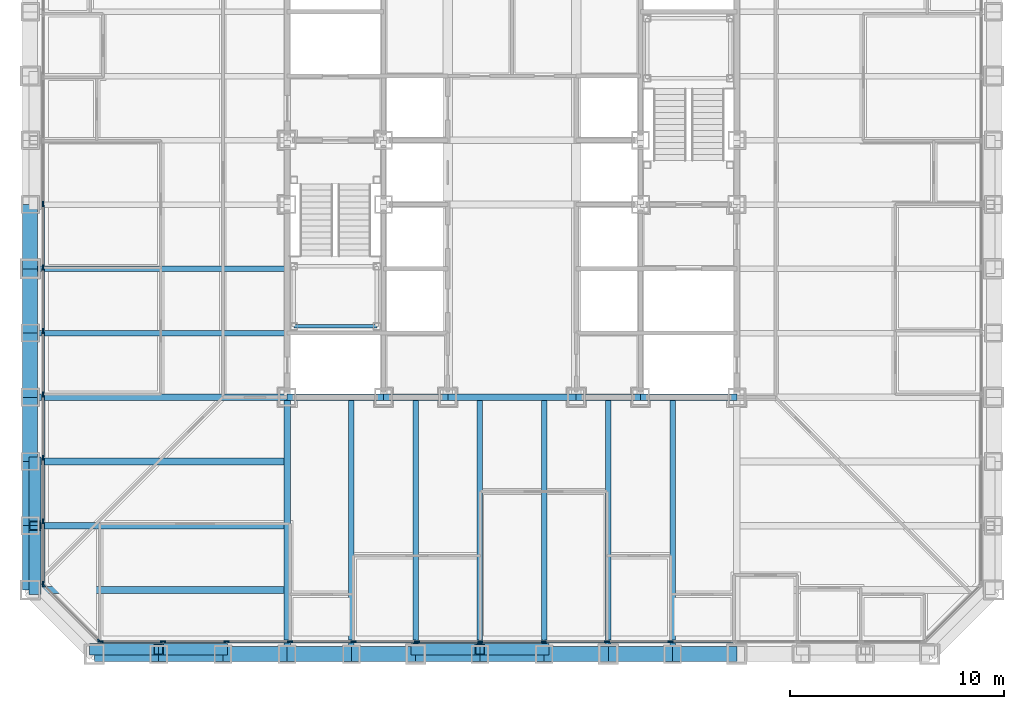
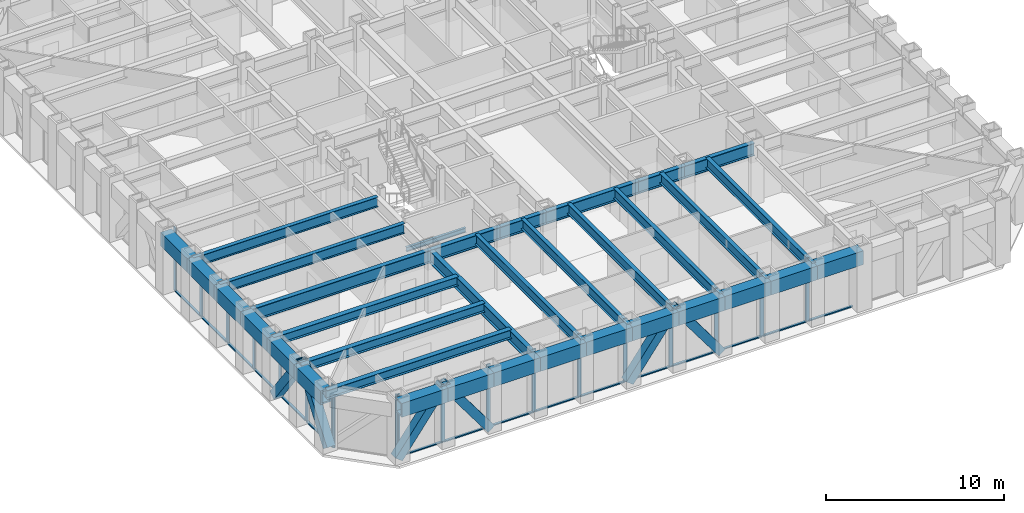
# One storey, part 2 of 17: 41 members, 35 beams, 3 elements without a shape of their own.
"""IFC4 building model written with IfcOpenShell, lengths in metres."""

from ifc_helpers import new_model, si_unit, direction, frame, origin, origin_2d, place, context, subcontext, project, spatial, rectangle, hollow_rectangle, i_section, extrude, material, layer, layer_set, material_profile, profile_set, type_object, element, aggregate, save


model = new_model("IFC4")

# Units and contexts
model_context = context("Model", 3, precision=1e-05, world=origin(), true_north=direction((0.0, 1.0)))
body_context = subcontext(model_context, "Body", "Model", "MODEL_VIEW")
ifc_project = project(units=[si_unit("LENGTHUNIT", "METRE"), si_unit("AREAUNIT", "SQUARE_METRE"), si_unit("VOLUMEUNIT", "CUBIC_METRE"), si_unit("PLANEANGLEUNIT", "RADIAN"), si_unit("MASSUNIT", "GRAM", prefix="KILO")], contexts=[model_context])

# Site, building, storey
site_placement = place(None, origin())
site = spatial("IfcSite", under=ifc_project, at=site_placement, CompositionType="ELEMENT")
building_placement = place(site_placement, origin())
building = spatial("IfcBuilding", under=site, at=building_placement, Name="Chuquiago Exchange Tower", CompositionType="ELEMENT")
storey_placement = place(building_placement, frame((0.0, 0.0, 87.300048828125)))
storey = spatial("IfcBuildingStorey", under=building, at=storey_placement, Name="L18", CompositionType="ELEMENT", Elevation=87.300048828125)

# Beams
ifc_material_1 = material(Name="Steel ASTM A992", Category="steel")
ifc_material_profile_1 = material_profile(ifc_material_1, i_section(OverallWidth=0.2919921875, OverallDepth=0.8583984375, WebThickness=0.01708984375, FlangeThickness=0.031005859375, at=origin_2d()), Name="W33X169")
ifc_profile_set_1 = profile_set([ifc_material_profile_1], Name="Steel ASTM A992")
beam_type_1 = type_object("IfcBeamType", Name="B3 W33X169", PredefinedType="BEAM", material=ifc_profile_set_1)
beam_1_placement = place(storey_placement, frame((12.0, 12.0, 3.610595703125), z_axis=(1.0, 0.0, 0.0), x_axis=(0.0, 1.0, 0.0)))
element("IfcBeam", 1, at=beam_1_placement, inside=storey, type_object=beam_type_1, Name="CB-L19-12_12-16.5_12", PredefinedType="BEAM", context=body_context, shape_type="SweptSolid", body=[
    extrude(i_section(OverallWidth=0.2919921875, OverallDepth=0.8583984375, WebThickness=0.01708984375, FlangeThickness=0.031005859375, at=origin_2d()), origin(), (0.0, 0.0, 1.0), 4.5),
])
beam_2_placement = place(storey_placement, frame((16.5, 12.0, 3.610595703125), z_axis=(1.0, 0.0, 0.0), x_axis=(0.0, 1.0, 0.0)))
element("IfcBeam", 2, at=beam_2_placement, inside=storey, type_object=beam_type_1, Name="CB-L19-16.5_12-19.5_12", PredefinedType="BEAM", context=body_context, shape_type="SweptSolid", body=[
    extrude(i_section(OverallWidth=0.2919921875, OverallDepth=0.8583984375, WebThickness=0.01708984375, FlangeThickness=0.031005859375, at=origin_2d()), origin(), (0.0, 0.0, 1.0), 3.0),
])
beam_3_placement = place(storey_placement, frame((19.5, 12.0, 3.610595703125), z_axis=(1.0, 0.0, 0.0), x_axis=(0.0, 1.0, 0.0)))
element("IfcBeam", 3, at=beam_3_placement, inside=storey, type_object=beam_type_1, Name="CB-L19-19.5_12-25.5_12", PredefinedType="BEAM", context=body_context, shape_type="SweptSolid", body=[
    extrude(i_section(OverallWidth=0.2919921875, OverallDepth=0.8583984375, WebThickness=0.01708984375, FlangeThickness=0.031005859375, at=origin_2d()), origin(), (0.0, 0.0, 1.0), 6.0),
])
beam_4_placement = place(storey_placement, frame((25.5, 12.0, 3.610595703125), z_axis=(1.0, 0.0, 0.0), x_axis=(0.0, 1.0, 0.0)))
element("IfcBeam", 4, at=beam_4_placement, inside=storey, type_object=beam_type_1, Name="CB-L19-25.5_12-28.5_12", PredefinedType="BEAM", context=body_context, shape_type="SweptSolid", body=[
    extrude(i_section(OverallWidth=0.2919921875, OverallDepth=0.8583984375, WebThickness=0.01708984375, FlangeThickness=0.031005859375, at=origin_2d()), origin(), (0.0, 0.0, 1.0), 3.0),
])
beam_5_placement = place(storey_placement, frame((28.5, 12.0, 3.610595703125), z_axis=(1.0, 0.0, 0.0), x_axis=(0.0, 1.0, 0.0)))
element("IfcBeam", 5, at=beam_5_placement, inside=storey, type_object=beam_type_1, Name="CB-L19-28.5_12-33_12", PredefinedType="BEAM", context=body_context, shape_type="SweptSolid", body=[
    extrude(i_section(OverallWidth=0.2919921875, OverallDepth=0.8583984375, WebThickness=0.01708984375, FlangeThickness=0.031005859375, at=origin_2d()), origin(), (0.0, 0.0, 1.0), 4.5),
])
ifc_material_2 = material(Name="Steel ASTM A992", Category="steel")
ifc_material_profile_2 = material_profile(ifc_material_2, i_section(OverallWidth=0.256591796875, OverallDepth=0.693359375, WebThickness=0.014404296875, FlangeThickness=0.023681640625, at=origin_2d()), Name="W27X114")
ifc_profile_set_2 = profile_set([ifc_material_profile_2], Name="Steel ASTM A992")
beam_type_2 = type_object("IfcBeamType", Name="B4 W27X114", PredefinedType="BEAM", material=ifc_profile_set_2)
for number, where, z_axis, x_axis, name in (
    (6, (15.0, 12.0, 3.693359375), (0.0, -1.0, 0.0), (1.0, 0.0, 0.0), "FB-L19-infill-15_12-15_-0-0"),
    (7, (18.0, 12.0, 3.693359375), (0.0, -1.0, 0.0), (1.0, 0.0, 0.0), "FB-L19-infill-18_12-18_-0-0"),
    (8, (21.0, 12.0, 3.693359375), (0.0, -1.0, 0.0), (1.0, 0.0, 0.0), "FB-L19-infill-21_12-21_-0-0"),
    (9, (24.0, 12.0, 3.693359375), (0.0, -1.0, 0.0), (1.0, 0.0, 0.0), "FB-L19-infill-24_12-24_-0-0"),
    (10, (27.0, 12.0, 3.693359375), (0.0, -1.0, 0.0), (1.0, 0.0, 0.0), "FB-L19-infill-27_12-27_-0-0"),
    (11, (30.0, 12.0, 3.693359375), (0.0, -1.0, 0.0), (1.0, 0.0, 0.0), "FB-L19-infill-30_12-30_-0-0"),
    (12, (12.0, 15.0, 3.693359375), (-1.0, 0.0, 0.0), (0.0, -1.0, 0.0), "FB-L19-infill-12_15--0_15-0"),
    (13, (12.0, 18.0, 3.693359375), (-1.0, 0.0, 0.0), (0.0, -1.0, 0.0), "FB-L19-infill-12_18--0_18-0"),
):
    element("IfcBeam", number, at=place(storey_placement, frame(where, z_axis=z_axis, x_axis=x_axis)), inside=storey, type_object=beam_type_2, Name=name, PredefinedType="BEAM", context=body_context, shape_type="SweptSolid", body=[
        extrude(i_section(OverallWidth=0.256591796875, OverallDepth=0.693359375, WebThickness=0.014404296875, FlangeThickness=0.023681640625, at=origin_2d()), origin(), (0.0, 0.0, 1.0), 12.0),
    ])
ifc_material_3 = material(Name="Steel ASTM A992", Category="steel")
ifc_material_profile_3 = material_profile(ifc_material_3, i_section(OverallWidth=0.3251953125, OverallDepth=0.6171875, WebThickness=0.013916015625, FlangeThickness=0.021484375, at=origin_2d()), Name="W24X117")
ifc_profile_set_3 = profile_set([ifc_material_profile_3], Name="Steel ASTM A992")
beam_type_3 = type_object("IfcBeamType", Name="B5 W24X117", PredefinedType="BEAM", material=ifc_profile_set_3)
for number, where, z_axis, x_axis, name in (
    (14, (12.0, 3.0, 3.7314453125), (-1.0, 0.0, 0.0), (0.0, -1.0, 0.0), "FB-L19-corner-12_3--0_3-0"),
    (15, (12.0, 6.0, 3.7314453125), (-1.0, 0.0, 0.0), (0.0, -1.0, 0.0), "FB-L19-corner-12_6--0_6-0"),
    (16, (12.0, 9.0, 3.7314453125), (-1.0, 0.0, 0.0), (0.0, -1.0, 0.0), "FB-L19-corner-12_9--0_9-0"),
):
    element("IfcBeam", number, at=place(storey_placement, frame(where, z_axis=z_axis, x_axis=x_axis)), inside=storey, type_object=beam_type_3, Name=name, PredefinedType="BEAM", context=body_context, shape_type="SweptSolid", body=[
        extrude(i_section(OverallWidth=0.3251953125, OverallDepth=0.6171875, WebThickness=0.013916015625, FlangeThickness=0.021484375, at=origin_2d()), origin(), (0.0, 0.0, 1.0), 12.0),
    ])

# Curtain wall, members
ifc_material_4 = material(Name="Aluminium curtain wall system", Category="aluminium")
ifc_layer_1 = layer(ifc_material_4, 0.25)
ifc_layer_set_1 = layer_set([ifc_layer_1], Name="CW1 trading floor curtain wall")
curtain_wall_type_1 = type_object("IfcCurtainWallType", Name="CW1 trading floor curtain wall", PredefinedType="NOTDEFINED", material=ifc_layer_set_1)
curtain_wall_1_placement = place(storey_placement, origin())
curtain_wall_1 = element("IfcCurtainWall", 17, at=curtain_wall_1_placement, inside=storey, type_object=curtain_wall_type_1, Name="CW1 curtain wall L18", PredefinedType="NOTDEFINED")
ifc_material_5 = material(Name="Aluminium mullion, pale anodised", Category="aluminium")
ifc_material_profile_4 = material_profile(ifc_material_5, rectangle(XDim=0.074951171875, YDim=0.25, at=origin_2d()), Name="AL 75x250")
ifc_profile_set_4 = profile_set([ifc_material_profile_4], Name="Aluminium mullion, pale anodised")
member_type_1 = type_object("IfcMemberType", Name="CW1-M mullion 75x250", PredefinedType="MULLION", material=ifc_profile_set_4)
member_1_placement = place(storey_placement, frame((3.285888671875, 0.60009765625, -0.300048828125), z_axis=(0.0, 0.0, 1.0), x_axis=(0.0, 1.0, 0.0)))
member_1 = element("IfcMember", 18, at=member_1_placement, type_object=member_type_1, Name="CW1 mullion 1", PredefinedType="MULLION", context=body_context, shape_type="SweptSolid", body=[
    extrude(rectangle(XDim=0.074951171875, YDim=0.25, at=origin_2d()), origin(), (0.0, 0.0, 1.0), 4.340087890625),
])
member_2_placement = place(storey_placement, frame((6.210205078125, 0.60009765625, -0.300048828125), z_axis=(0.0, 0.0, 1.0), x_axis=(0.0, 1.0, 0.0)))
member_2 = element("IfcMember", 19, at=member_2_placement, type_object=member_type_1, Name="CW1 mullion 2", PredefinedType="MULLION", context=body_context, shape_type="SweptSolid", body=[
    extrude(rectangle(XDim=0.074951171875, YDim=0.25, at=origin_2d()), origin(), (0.0, 0.0, 1.0), 4.340087890625),
])
member_3_placement = place(storey_placement, frame((9.172119140625, 0.60009765625, -0.300048828125), z_axis=(0.0, 0.0, 1.0), x_axis=(0.0, 1.0, 0.0)))
member_3 = element("IfcMember", 20, at=member_3_placement, type_object=member_type_1, Name="CW1 mullion 3", PredefinedType="MULLION", context=body_context, shape_type="SweptSolid", body=[
    extrude(rectangle(XDim=0.074951171875, YDim=0.25, at=origin_2d()), origin(), (0.0, 0.0, 1.0), 4.340087890625),
])
member_4_placement = place(storey_placement, frame((12.1337890625, 0.60009765625, -0.300048828125), z_axis=(0.0, 0.0, 1.0), x_axis=(0.0, 1.0, 0.0)))
member_4 = element("IfcMember", 21, at=member_4_placement, type_object=member_type_1, Name="CW1 mullion 4", PredefinedType="MULLION", context=body_context, shape_type="SweptSolid", body=[
    extrude(rectangle(XDim=0.074951171875, YDim=0.25, at=origin_2d()), origin(), (0.0, 0.0, 1.0), 4.340087890625),
])
member_5_placement = place(storey_placement, frame((15.095458984375, 0.60009765625, -0.300048828125), z_axis=(0.0, 0.0, 1.0), x_axis=(0.0, 1.0, 0.0)))
member_5 = element("IfcMember", 22, at=member_5_placement, type_object=member_type_1, Name="CW1 mullion 5", PredefinedType="MULLION", context=body_context, shape_type="SweptSolid", body=[
    extrude(rectangle(XDim=0.074951171875, YDim=0.25, at=origin_2d()), origin(), (0.0, 0.0, 1.0), 4.340087890625),
])
member_6_placement = place(storey_placement, frame((18.057373046875, 0.60009765625, -0.300048828125), z_axis=(0.0, 0.0, 1.0), x_axis=(0.0, 1.0, 0.0)))
member_6 = element("IfcMember", 23, at=member_6_placement, type_object=member_type_1, Name="CW1 mullion 6", PredefinedType="MULLION", context=body_context, shape_type="SweptSolid", body=[
    extrude(rectangle(XDim=0.074951171875, YDim=0.25, at=origin_2d()), origin(), (0.0, 0.0, 1.0), 4.340087890625),
])
member_7_placement = place(storey_placement, frame((21.01904296875, 0.60009765625, -0.300048828125), z_axis=(0.0, 0.0, 1.0), x_axis=(0.0, 1.0, 0.0)))
member_7 = element("IfcMember", 24, at=member_7_placement, type_object=member_type_1, Name="CW1 mullion 7", PredefinedType="MULLION", context=body_context, shape_type="SweptSolid", body=[
    extrude(rectangle(XDim=0.074951171875, YDim=0.25, at=origin_2d()), origin(), (0.0, 0.0, 1.0), 4.340087890625),
])
member_8_placement = place(storey_placement, frame((23.98095703125, 0.60009765625, -0.300048828125), z_axis=(0.0, 0.0, 1.0), x_axis=(0.0, 1.0, 0.0)))
member_8 = element("IfcMember", 25, at=member_8_placement, type_object=member_type_1, Name="CW1 mullion 8", PredefinedType="MULLION", context=body_context, shape_type="SweptSolid", body=[
    extrude(rectangle(XDim=0.074951171875, YDim=0.25, at=origin_2d()), origin(), (0.0, 0.0, 1.0), 4.340087890625),
])
member_9_placement = place(storey_placement, frame((26.942626953125, 0.60009765625, -0.300048828125), z_axis=(0.0, 0.0, 1.0), x_axis=(0.0, 1.0, 0.0)))
member_9 = element("IfcMember", 26, at=member_9_placement, type_object=member_type_1, Name="CW1 mullion 9", PredefinedType="MULLION", context=body_context, shape_type="SweptSolid", body=[
    extrude(rectangle(XDim=0.074951171875, YDim=0.25, at=origin_2d()), origin(), (0.0, 0.0, 1.0), 4.340087890625),
])
member_10_placement = place(storey_placement, frame((29.904541015625, 0.60009765625, -0.300048828125), z_axis=(0.0, 0.0, 1.0), x_axis=(0.0, 1.0, 0.0)))
member_10 = element("IfcMember", 27, at=member_10_placement, type_object=member_type_1, Name="CW1 mullion 10", PredefinedType="MULLION", context=body_context, shape_type="SweptSolid", body=[
    extrude(rectangle(XDim=0.074951171875, YDim=0.25, at=origin_2d()), origin(), (0.0, 0.0, 1.0), 4.340087890625),
])

curtain_wall_2_placement = place(storey_placement, origin())
curtain_wall_2 = element("IfcCurtainWall", 28, at=curtain_wall_2_placement, inside=storey, type_object=curtain_wall_type_1, Name="CW1 curtain wall L18", PredefinedType="NOTDEFINED")
member_11_placement = place(storey_placement, frame((0.60009765625, 21.01904296875, -0.300048828125), z_axis=(0.0, 0.0, 1.0), x_axis=(1.0, 0.0, 0.0)))
member_11 = element("IfcMember", 29, at=member_11_placement, type_object=member_type_1, Name="CW1 mullion 8", PredefinedType="MULLION", context=body_context, shape_type="SweptSolid", body=[
    extrude(rectangle(XDim=0.074951171875, YDim=0.25, at=origin_2d()), origin(), (0.0, 0.0, 1.0), 4.340087890625),
])
member_12_placement = place(storey_placement, frame((0.60009765625, 18.057373046875, -0.300048828125), z_axis=(0.0, 0.0, 1.0), x_axis=(1.0, 0.0, 0.0)))
member_12 = element("IfcMember", 30, at=member_12_placement, type_object=member_type_1, Name="CW1 mullion 9", PredefinedType="MULLION", context=body_context, shape_type="SweptSolid", body=[
    extrude(rectangle(XDim=0.074951171875, YDim=0.25, at=origin_2d()), origin(), (0.0, 0.0, 1.0), 4.340087890625),
])
member_13_placement = place(storey_placement, frame((0.60009765625, 15.095458984375, -0.300048828125), z_axis=(0.0, 0.0, 1.0), x_axis=(1.0, 0.0, 0.0)))
member_13 = element("IfcMember", 31, at=member_13_placement, type_object=member_type_1, Name="CW1 mullion 10", PredefinedType="MULLION", context=body_context, shape_type="SweptSolid", body=[
    extrude(rectangle(XDim=0.074951171875, YDim=0.25, at=origin_2d()), origin(), (0.0, 0.0, 1.0), 4.340087890625),
])
member_14_placement = place(storey_placement, frame((0.60009765625, 12.1337890625, -0.300048828125), z_axis=(0.0, 0.0, 1.0), x_axis=(1.0, 0.0, 0.0)))
member_14 = element("IfcMember", 32, at=member_14_placement, type_object=member_type_1, Name="CW1 mullion 11", PredefinedType="MULLION", context=body_context, shape_type="SweptSolid", body=[
    extrude(rectangle(XDim=0.074951171875, YDim=0.25, at=origin_2d()), origin(), (0.0, 0.0, 1.0), 4.340087890625),
])
member_15_placement = place(storey_placement, frame((0.60009765625, 9.172119140625, -0.300048828125), z_axis=(0.0, 0.0, 1.0), x_axis=(1.0, 0.0, 0.0)))
member_15 = element("IfcMember", 33, at=member_15_placement, type_object=member_type_1, Name="CW1 mullion 12", PredefinedType="MULLION", context=body_context, shape_type="SweptSolid", body=[
    extrude(rectangle(XDim=0.074951171875, YDim=0.25, at=origin_2d()), origin(), (0.0, 0.0, 1.0), 4.340087890625),
])
member_16_placement = place(storey_placement, frame((0.60009765625, 6.210205078125, -0.300048828125), z_axis=(0.0, 0.0, 1.0), x_axis=(1.0, 0.0, 0.0)))
member_16 = element("IfcMember", 34, at=member_16_placement, type_object=member_type_1, Name="CW1 mullion 13", PredefinedType="MULLION", context=body_context, shape_type="SweptSolid", body=[
    extrude(rectangle(XDim=0.074951171875, YDim=0.25, at=origin_2d()), origin(), (0.0, 0.0, 1.0), 4.340087890625),
])
member_17_placement = place(storey_placement, frame((0.60009765625, 3.285888671875, -0.300048828125), z_axis=(0.0, 0.0, 1.0), x_axis=(1.0, 0.0, 0.0)))
member_17 = element("IfcMember", 35, at=member_17_placement, type_object=member_type_1, Name="CW1 mullion 14", PredefinedType="MULLION", context=body_context, shape_type="SweptSolid", body=[
    extrude(rectangle(XDim=0.074951171875, YDim=0.25, at=origin_2d()), origin(), (0.0, 0.0, 1.0), 4.340087890625),
])

# Member
ifc_material_6 = material(Name="Aluminium transom, pale anodised", Category="aluminium")
ifc_material_profile_5 = material_profile(ifc_material_6, rectangle(XDim=0.14990234375, YDim=0.074951171875, at=origin_2d()), Name="AL 150x75")
ifc_profile_set_5 = profile_set([ifc_material_profile_5], Name="Aluminium transom, pale anodised")
member_type_2 = type_object("IfcMemberType", Name="CW1-T transom 75x150", PredefinedType="MULLION", material=ifc_profile_set_5)
member_18_placement = place(storey_placement, frame((3.323486328125, 0.60009765625, -0.262451171875), z_axis=(1.0, 0.0, 0.0), x_axis=(0.0, 1.0, 0.0)))
member_18 = element("IfcMember", 36, at=member_18_placement, type_object=member_type_2, Name="CW1 transom 1.1", PredefinedType="MULLION", context=body_context, shape_type="SweptSolid", body=[
    extrude(rectangle(XDim=0.14990234375, YDim=0.074951171875, at=origin_2d()), origin(), (0.0, 0.0, 1.0), 2.849365234375),
])

member_19_placement = place(storey_placement, frame((6.247802734375, 0.60009765625, -0.262451171875), z_axis=(1.0, 0.0, 0.0), x_axis=(0.0, 1.0, 0.0)))
member_19 = element("IfcMember", 37, at=member_19_placement, type_object=member_type_2, Name="CW1 transom 2.1", PredefinedType="MULLION", context=body_context, shape_type="SweptSolid", body=[
    extrude(rectangle(XDim=0.14990234375, YDim=0.074951171875, at=origin_2d()), origin(), (0.0, 0.0, 1.0), 2.88671875),
])

member_20_placement = place(storey_placement, frame((9.20947265625, 0.60009765625, -0.262451171875), z_axis=(1.0, 0.0, 0.0), x_axis=(0.0, 1.0, 0.0)))
member_20 = element("IfcMember", 38, at=member_20_placement, type_object=member_type_2, Name="CW1 transom 3.1", PredefinedType="MULLION", context=body_context, shape_type="SweptSolid", body=[
    extrude(rectangle(XDim=0.14990234375, YDim=0.074951171875, at=origin_2d()), origin(), (0.0, 0.0, 1.0), 2.88671875),
])

member_21_placement = place(storey_placement, frame((12.17138671875, 0.60009765625, -0.262451171875), z_axis=(1.0, 0.0, 0.0), x_axis=(0.0, 1.0, 0.0)))
member_21 = element("IfcMember", 39, at=member_21_placement, type_object=member_type_2, Name="CW1 transom 4.1", PredefinedType="MULLION", context=body_context, shape_type="SweptSolid", body=[
    extrude(rectangle(XDim=0.14990234375, YDim=0.074951171875, at=origin_2d()), origin(), (0.0, 0.0, 1.0), 2.88671875),
])

member_22_placement = place(storey_placement, frame((15.133056640625, 0.60009765625, -0.262451171875), z_axis=(1.0, 0.0, 0.0), x_axis=(0.0, 1.0, 0.0)))
member_22 = element("IfcMember", 40, at=member_22_placement, type_object=member_type_2, Name="CW1 transom 5.1", PredefinedType="MULLION", context=body_context, shape_type="SweptSolid", body=[
    extrude(rectangle(XDim=0.14990234375, YDim=0.074951171875, at=origin_2d()), origin(), (0.0, 0.0, 1.0), 2.88671875),
])

member_23_placement = place(storey_placement, frame((18.0947265625, 0.60009765625, -0.262451171875), z_axis=(1.0, 0.0, 0.0), x_axis=(0.0, 1.0, 0.0)))
member_23 = element("IfcMember", 41, at=member_23_placement, type_object=member_type_2, Name="CW1 transom 6.1", PredefinedType="MULLION", context=body_context, shape_type="SweptSolid", body=[
    extrude(rectangle(XDim=0.14990234375, YDim=0.074951171875, at=origin_2d()), origin(), (0.0, 0.0, 1.0), 2.886962890625),
])

member_24_placement = place(storey_placement, frame((21.056640625, 0.60009765625, -0.262451171875), z_axis=(1.0, 0.0, 0.0), x_axis=(0.0, 1.0, 0.0)))
member_24 = element("IfcMember", 42, at=member_24_placement, type_object=member_type_2, Name="CW1 transom 7.1", PredefinedType="MULLION", context=body_context, shape_type="SweptSolid", body=[
    extrude(rectangle(XDim=0.14990234375, YDim=0.074951171875, at=origin_2d()), origin(), (0.0, 0.0, 1.0), 2.88671875),
])

member_25_placement = place(storey_placement, frame((24.018310546875, 0.60009765625, -0.262451171875), z_axis=(1.0, 0.0, 0.0), x_axis=(0.0, 1.0, 0.0)))
member_25 = element("IfcMember", 43, at=member_25_placement, type_object=member_type_2, Name="CW1 transom 8.1", PredefinedType="MULLION", context=body_context, shape_type="SweptSolid", body=[
    extrude(rectangle(XDim=0.14990234375, YDim=0.074951171875, at=origin_2d()), origin(), (0.0, 0.0, 1.0), 2.886962890625),
])

member_26_placement = place(storey_placement, frame((26.980224609375, 0.60009765625, -0.262451171875), z_axis=(1.0, 0.0, 0.0), x_axis=(0.0, 1.0, 0.0)))
member_26 = element("IfcMember", 44, at=member_26_placement, type_object=member_type_2, Name="CW1 transom 9.1", PredefinedType="MULLION", context=body_context, shape_type="SweptSolid", body=[
    extrude(rectangle(XDim=0.14990234375, YDim=0.074951171875, at=origin_2d()), origin(), (0.0, 0.0, 1.0), 2.88671875),
])

member_27_placement = place(storey_placement, frame((29.94189453125, 0.60009765625, -0.262451171875), z_axis=(1.0, 0.0, 0.0), x_axis=(0.0, 1.0, 0.0)))
member_27 = element("IfcMember", 45, at=member_27_placement, type_object=member_type_2, Name="CW1 transom 10.1", PredefinedType="MULLION", context=body_context, shape_type="SweptSolid", body=[
    extrude(rectangle(XDim=0.14990234375, YDim=0.074951171875, at=origin_2d()), origin(), (0.0, 0.0, 1.0), 2.88671875),
])

aggregate(curtain_wall_1, [member_1, member_2, member_3, member_4, member_5, member_6, member_7, member_8, member_9, member_10, member_18, member_19, member_20, member_21, member_22, member_23, member_24, member_25, member_26, member_27])

member_28_placement = place(storey_placement, frame((0.60009765625, 20.981689453125, -0.262451171875), z_axis=(0.0, -1.0, 0.0), x_axis=(1.0, 0.0, 0.0)))
member_28 = element("IfcMember", 46, at=member_28_placement, type_object=member_type_2, Name="CW1 transom 8.1", PredefinedType="MULLION", context=body_context, shape_type="SweptSolid", body=[
    extrude(rectangle(XDim=0.14990234375, YDim=0.074951171875, at=origin_2d()), origin(), (0.0, 0.0, 1.0), 2.886962890625),
])

member_29_placement = place(storey_placement, frame((0.60009765625, 18.019775390625, -0.262451171875), z_axis=(0.0, -1.0, 0.0), x_axis=(1.0, 0.0, 0.0)))
member_29 = element("IfcMember", 47, at=member_29_placement, type_object=member_type_2, Name="CW1 transom 9.1", PredefinedType="MULLION", context=body_context, shape_type="SweptSolid", body=[
    extrude(rectangle(XDim=0.14990234375, YDim=0.074951171875, at=origin_2d()), origin(), (0.0, 0.0, 1.0), 2.88671875),
])

member_30_placement = place(storey_placement, frame((0.60009765625, 15.05810546875, -0.262451171875), z_axis=(0.0, -1.0, 0.0), x_axis=(1.0, 0.0, 0.0)))
member_30 = element("IfcMember", 48, at=member_30_placement, type_object=member_type_2, Name="CW1 transom 10.1", PredefinedType="MULLION", context=body_context, shape_type="SweptSolid", body=[
    extrude(rectangle(XDim=0.14990234375, YDim=0.074951171875, at=origin_2d()), origin(), (0.0, 0.0, 1.0), 2.88671875),
])

member_31_placement = place(storey_placement, frame((0.60009765625, 12.09619140625, -0.262451171875), z_axis=(0.0, -1.0, 0.0), x_axis=(1.0, 0.0, 0.0)))
member_31 = element("IfcMember", 49, at=member_31_placement, type_object=member_type_2, Name="CW1 transom 11.1", PredefinedType="MULLION", context=body_context, shape_type="SweptSolid", body=[
    extrude(rectangle(XDim=0.14990234375, YDim=0.074951171875, at=origin_2d()), origin(), (0.0, 0.0, 1.0), 2.88671875),
])

member_32_placement = place(storey_placement, frame((0.60009765625, 9.134521484375, -0.262451171875), z_axis=(0.0, -1.0, 0.0), x_axis=(1.0, 0.0, 0.0)))
member_32 = element("IfcMember", 50, at=member_32_placement, type_object=member_type_2, Name="CW1 transom 12.1", PredefinedType="MULLION", context=body_context, shape_type="SweptSolid", body=[
    extrude(rectangle(XDim=0.14990234375, YDim=0.074951171875, at=origin_2d()), origin(), (0.0, 0.0, 1.0), 2.88671875),
])

member_33_placement = place(storey_placement, frame((0.60009765625, 6.1728515625, -0.262451171875), z_axis=(0.0, -1.0, 0.0), x_axis=(1.0, 0.0, 0.0)))
member_33 = element("IfcMember", 51, at=member_33_placement, type_object=member_type_2, Name="CW1 transom 13.1", PredefinedType="MULLION", context=body_context, shape_type="SweptSolid", body=[
    extrude(rectangle(XDim=0.14990234375, YDim=0.074951171875, at=origin_2d()), origin(), (0.0, 0.0, 1.0), 2.849365234375),
])

aggregate(curtain_wall_2, [member_11, member_12, member_13, member_14, member_15, member_16, member_17, member_28, member_29, member_30, member_31, member_32, member_33])

# Curtain wall, members
ifc_material_7 = material(Name="Aluminium curtain wall system", Category="aluminium")
ifc_layer_2 = layer(ifc_material_7, 0.199951171875)
ifc_layer_set_2 = layer_set([ifc_layer_2], Name="CW3 facet curtain wall")
curtain_wall_type_2 = type_object("IfcCurtainWallType", Name="CW3 facet curtain wall", PredefinedType="NOTDEFINED", material=ifc_layer_set_2)
curtain_wall_3_placement = place(storey_placement, origin())
curtain_wall_3 = element("IfcCurtainWall", 52, at=curtain_wall_3_placement, inside=storey, type_object=curtain_wall_type_2, Name="CW3 curtain wall L18", PredefinedType="NOTDEFINED")
ifc_material_8 = material(Name="Aluminium mullion, pale anodised", Category="aluminium")
ifc_material_profile_6 = material_profile(ifc_material_8, rectangle(XDim=0.06494140625, YDim=0.199951171875, at=origin_2d()), Name="AL 65x200")
ifc_profile_set_6 = profile_set([ifc_material_profile_6], Name="Aluminium mullion, pale anodised")
member_type_3 = type_object("IfcMemberType", Name="CW3-M mullion 65x200", PredefinedType="MULLION", material=ifc_profile_set_6)
member_34_placement = place(storey_placement, frame((0.623046875, 3.2255859375, -0.300048828125), z_axis=(0.0, 0.0, 1.0), x_axis=(0.707106781187, 0.707106781187, 0.0)))
member_34 = element("IfcMember", 53, at=member_34_placement, type_object=member_type_3, Name="CW3 mullion 1", PredefinedType="MULLION", context=body_context, shape_type="SweptSolid", body=[
    extrude(rectangle(XDim=0.06494140625, YDim=0.199951171875, at=origin_2d()), origin(), (0.0, 0.0, 1.0), 4.340087890625),
])
member_35_placement = place(storey_placement, frame((3.2255859375, 0.623046875, -0.300048828125), z_axis=(0.0, 0.0, 1.0), x_axis=(0.707106781187, 0.707106781187, 0.0)))
member_35 = element("IfcMember", 54, at=member_35_placement, type_object=member_type_3, Name="CW3 mullion 2", PredefinedType="MULLION", context=body_context, shape_type="SweptSolid", body=[
    extrude(rectangle(XDim=0.06494140625, YDim=0.199951171875, at=origin_2d()), origin(), (0.0, 0.0, 1.0), 4.340087890625),
])
aggregate(curtain_wall_3, [member_34, member_35])

# Beams
ifc_material_9 = material(Name="Steel ASTM A992", Category="steel")
ifc_material_profile_7 = material_profile(ifc_material_9, i_section(OverallWidth=0.2919921875, OverallDepth=0.8583984375, WebThickness=0.01708984375, FlangeThickness=0.031005859375, at=origin_2d()), Name="W33X169")
ifc_profile_set_7 = profile_set([ifc_material_profile_7], Name="Steel ASTM A992")
beam_type_4 = type_object("IfcBeamType", Name="G2 W33X169", PredefinedType="BEAM", material=ifc_profile_set_7)
for number, where, z_axis, x_axis, name in (
    (55, (12.0, 12.0, 3.610595703125), (0.0, -1.0, 0.0), (1.0, 0.0, 0.0), "FB-L19-girder-12_12-12_-0-0"),
    (56, (12.0, 12.0, 3.610595703125), (-1.0, 0.0, 0.0), (0.0, -1.0, 0.0), "FB-L19-girder-12_12--0_12-0"),
):
    element("IfcBeam", number, at=place(storey_placement, frame(where, z_axis=z_axis, x_axis=x_axis)), inside=storey, type_object=beam_type_4, Name=name, PredefinedType="BEAM", context=body_context, shape_type="SweptSolid", body=[
        extrude(i_section(OverallWidth=0.2919921875, OverallDepth=0.8583984375, WebThickness=0.01708984375, FlangeThickness=0.031005859375, at=origin_2d()), origin(), (0.0, 0.0, 1.0), 12.0),
    ])
ifc_material_10 = material(Name="Steel ASTM A992", Category="steel")
ifc_material_profile_8 = material_profile(ifc_material_10, i_section(OverallWidth=0.164794921875, OverallDepth=0.309814453125, WebThickness=0.005859375, FlangeThickness=0.009765625, at=origin_2d()), Name="W12X26")
ifc_profile_set_8 = profile_set([ifc_material_profile_8], Name="Steel ASTM A992")
beam_type_5 = type_object("IfcBeamType", Name="LT1 W12X26", PredefinedType="BEAM", material=ifc_profile_set_8)
beam_6_placement = place(storey_placement, frame((12.31005859375, 15.31005859375, 1.89501953125), z_axis=(1.0, 0.0, 0.0), x_axis=(0.0, 1.0, 0.0)))
element("IfcBeam", 57, at=beam_6_placement, inside=storey, type_object=beam_type_5, Name="Stair ST1 L18 landing 1 trimmer", PredefinedType="BEAM", context=body_context, shape_type="SweptSolid", body=[
    extrude(i_section(OverallWidth=0.164794921875, OverallDepth=0.309814453125, WebThickness=0.005859375, FlangeThickness=0.009765625, at=origin_2d()), origin(), (0.0, 0.0, 1.0), 3.8798828125),
])

# Members
ifc_material_11 = material(Name="Steel ASTM A572 Grade 50", Category="steel")
ifc_material_profile_9 = material_profile(ifc_material_11, hollow_rectangle(XDim=0.550048828125, YDim=0.550048828125, WallThickness=0.044921875, at=origin_2d()), Name="BOX550X550X45")
ifc_profile_set_9 = profile_set([ifc_material_profile_9], Name="Steel ASTM A572 Grade 50")
member_type_4 = type_object("IfcMemberType", Name="MB1 BOX550X550X45", PredefinedType="BRACE", material=ifc_profile_set_9)
for number, where, z_axis, x_axis, name in (
    (58, (3.0, 0.22998046875, 0.0), (0.596173923302, 0.0, 0.802855312728), (0.0, 1.0, 0.0), "Mega diagonal L18 S face"),
    (59, (9.0, 0.22998046875, 0.0), (-0.596173923302, 0.0, 0.802855312728), (0.0, -1.0, 0.0), "Mega diagonal L18 S face"),
    (60, (18.0, 0.22998046875, 0.0), (0.596173923302, 0.0, 0.802855312728), (0.0, 1.0, 0.0), "Mega diagonal L18 S face"),
    (61, (24.0, 0.22998046875, 0.0), (-0.596173923302, 0.0, 0.802855312728), (0.0, -1.0, 0.0), "Mega diagonal L18 S face"),
    (62, (0.22998046875, 9.0, 0.0), (0.0, -0.596173923302, 0.802855312728), (1.0, 0.0, 0.0), "Mega diagonal L18 W face"),
    (63, (0.22998046875, 3.0, 0.0), (0.0, 0.596173923302, 0.802855312728), (-1.0, 0.0, 0.0), "Mega diagonal L18 W face"),
):
    element("IfcMember", number, at=place(storey_placement, frame(where, z_axis=z_axis, x_axis=x_axis)), inside=storey, type_object=member_type_4, Name=name, PredefinedType="BRACE", context=body_context, shape_type="SweptSolid", body=[
        extrude(hollow_rectangle(XDim=0.550048828125, YDim=0.550048828125, WallThickness=0.044921875, at=origin_2d()), origin(), (0.0, 0.0, 1.0), 5.031982421875),
    ])

# Beams
ifc_material_12 = material(Name="Steel ASTM A572 Grade 50", Category="steel")
ifc_material_profile_10 = material_profile(ifc_material_12, hollow_rectangle(XDim=0.699951171875, YDim=0.949951171875, WallThickness=0.10009765625, at=origin_2d()), Name="BOX950X700X100")
ifc_profile_set_10 = profile_set([ifc_material_profile_10], Name="Steel ASTM A572 Grade 50")
beam_type_6 = type_object("IfcBeamType", Name="SP5 BOX950X700X100", PredefinedType="SPANDREL", material=ifc_profile_set_10)
for number, where, z_axis, x_axis, name in (
    (64, (3.0, 0.0, 3.56494140625), (1.0, 0.0, 0.0), (0.0, 1.0, 0.0), "SPB-L19-3_0-6_0"),
    (65, (6.0, 0.0, 3.56494140625), (1.0, 0.0, 0.0), (0.0, 1.0, 0.0), "SPB-L19-6_0-9_0"),
    (66, (9.0, 0.0, 3.56494140625), (1.0, 0.0, 0.0), (0.0, 1.0, 0.0), "SPB-L19-9_0-12_0"),
    (67, (12.0, 0.0, 3.56494140625), (1.0, 0.0, 0.0), (0.0, 1.0, 0.0), "SPB-L19-12_0-15_0"),
    (68, (15.0, 0.0, 3.56494140625), (1.0, 0.0, 0.0), (0.0, 1.0, 0.0), "SPB-L19-15_0-18_0"),
    (69, (18.0, 0.0, 3.56494140625), (1.0, 0.0, 0.0), (0.0, 1.0, 0.0), "SPB-L19-18_0-21_0"),
    (70, (21.0, 0.0, 3.56494140625), (1.0, 0.0, 0.0), (0.0, 1.0, 0.0), "SPB-L19-21_0-24_0"),
    (71, (24.0, 0.0, 3.56494140625), (1.0, 0.0, 0.0), (0.0, 1.0, 0.0), "SPB-L19-24_0-27_0"),
    (72, (27.0, 0.0, 3.56494140625), (1.0, 0.0, 0.0), (0.0, 1.0, 0.0), "SPB-L19-27_0-30_0"),
    (73, (30.0, 0.0, 3.56494140625), (1.0, 0.0, 0.0), (0.0, 1.0, 0.0), "SPB-L19-30_0-33_0"),
    (74, (0.0, 21.0, 3.56494140625), (0.0, -1.0, 0.0), (1.0, 0.0, 0.0), "SPB-L19-0_21-0_18"),
    (75, (0.0, 18.0, 3.56494140625), (0.0, -1.0, 0.0), (1.0, 0.0, 0.0), "SPB-L19-0_18-0_15"),
    (76, (0.0, 15.0, 3.56494140625), (0.0, -1.0, 0.0), (1.0, 0.0, 0.0), "SPB-L19-0_15-0_12"),
    (77, (0.0, 12.0, 3.56494140625), (0.0, -1.0, 0.0), (1.0, 0.0, 0.0), "SPB-L19-0_12-0_9"),
    (78, (0.0, 9.0, 3.56494140625), (0.0, -1.0, 0.0), (1.0, 0.0, 0.0), "SPB-L19-0_9-0_6"),
    (79, (0.0, 6.0, 3.56494140625), (0.0, -1.0, 0.0), (1.0, 0.0, 0.0), "SPB-L19-0_6-0_3"),
):
    element("IfcBeam", number, at=place(storey_placement, frame(where, z_axis=z_axis, x_axis=x_axis)), inside=storey, type_object=beam_type_6, Name=name, PredefinedType="SPANDREL", context=body_context, shape_type="SweptSolid", body=[
        extrude(hollow_rectangle(XDim=0.699951171875, YDim=0.949951171875, WallThickness=0.10009765625, at=origin_2d()), origin(), (0.0, 0.0, 1.0), 3.0),
    ])

save(model, "model.ifc")
